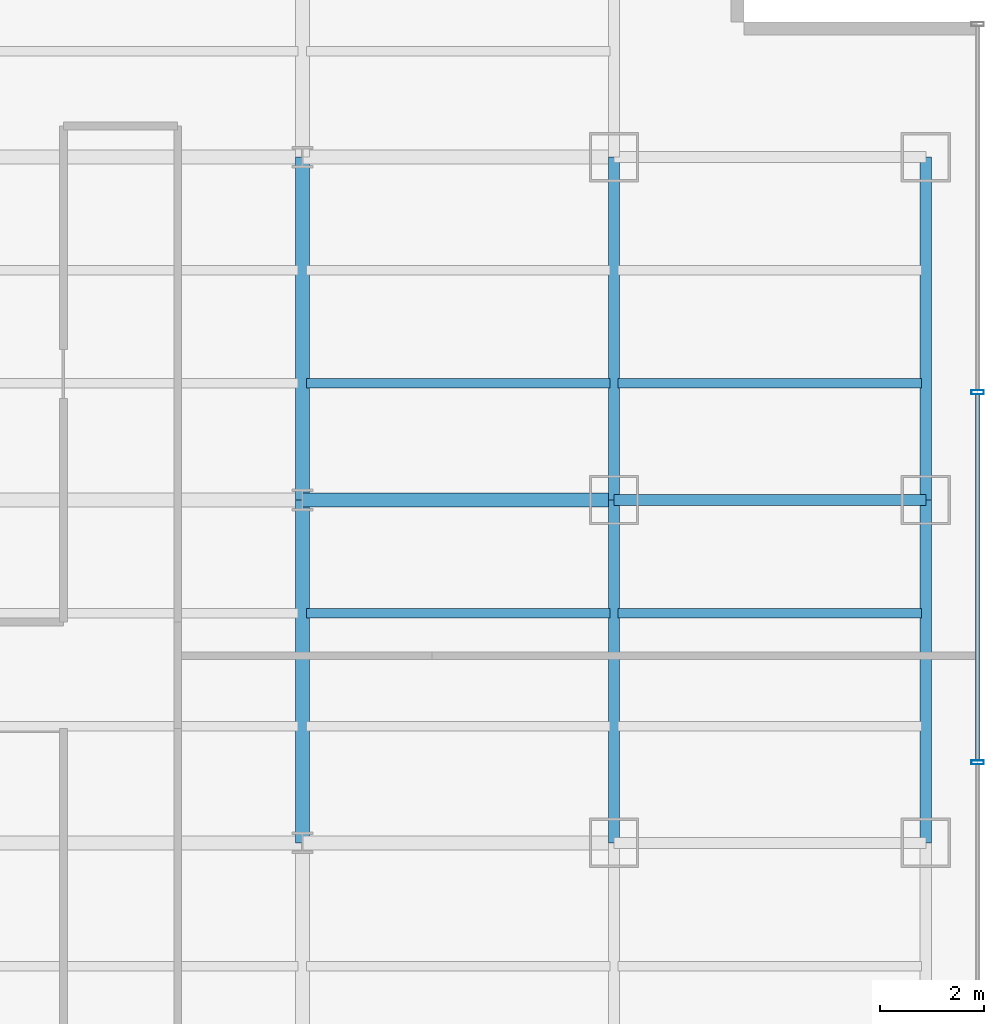
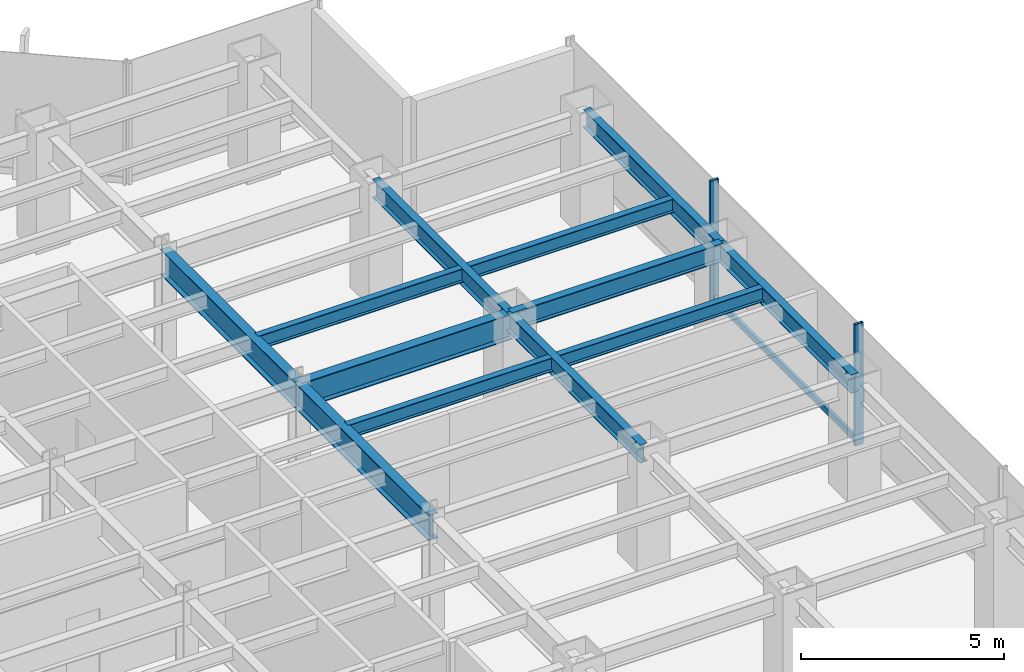
# One storey, part 9 of 23: 12 beams, 3 members, 1 element without a shape of its own.
"""IFC4 building model written with IfcOpenShell, lengths in metres."""

import ifcopenshell
import ifcopenshell.guid

model = None  # the IFC model being written
_history = None  # IfcOwnerHistory: only IFC2X3 demands one
_inside = {}  # id of a spatial element -> (the spatial element, [elements in it])
_under = {}  # id of a project, library or spatial element -> (it, [spatial elements below it])
_declared = {}  # id of a project -> (the project, [libraries it declares])
_typed = {}  # id of a type object -> (the type object, [elements of that type])
_made_of = {}  # id of a material, layer set ... -> (it, [elements and type objects made of it])


def new_model(schema):
    """Start an empty IFC model of exactly this schema.

    Asked for "IFC4X3", IfcOpenShell would pick the latest addendum, in which some entities
    have other attributes; the version numbers below select the first issue.
    IFC2X3 requires an IfcOwnerHistory on every rooted entity: one is made here for all.
    """
    global model, _history
    if schema == "IFC4X3":
        model = ifcopenshell.file(schema_version=(4, 3, 0, 0))
    else:
        model = ifcopenshell.file(schema=schema)
    _inside.clear()
    _under.clear()
    _declared.clear()
    _typed.clear()
    _made_of.clear()
    _history = None
    if model.schema == "IFC2X3":
        org = make("IfcOrganization", Name="unknown")
        user = make(
            "IfcPersonAndOrganization",
            ThePerson=make("IfcPerson", FamilyName="unknown"),
            TheOrganization=org,
        )
        app = make(
            "IfcApplication",
            ApplicationDeveloper=org,
            Version="unknown",
            ApplicationFullName="unknown",
            ApplicationIdentifier="unknown",
        )
        _history = make(
            "IfcOwnerHistory",
            OwningUser=user,
            OwningApplication=app,
            ChangeAction="ADDED",
            CreationDate=0,
        )
    return model


def make(cls, **values):
    """One entity of the class cls with the attributes given. An attribute that is None is left unset."""
    return model.create_entity(
        cls, **{name: value for name, value in values.items() if value is not None}
    )


def rooted(cls, **values):
    """An entity with a GlobalId (a new one), such as an element, a storey or a relation."""
    return make(cls, GlobalId=ifcopenshell.guid.new(), OwnerHistory=_history, **values)


def si_unit(unit_type, name, prefix=None):
    """IfcSIUnit, for example si_unit("LENGTHUNIT", "METRE", prefix="MILLI")."""
    return make("IfcSIUnit", UnitType=unit_type, Prefix=prefix, Name=name)


def derived_unit(unit_type, elements):
    """IfcDerivedUnit: a product of units, each with its exponent."""
    return make(
        "IfcDerivedUnit",
        Elements=[
            make("IfcDerivedUnitElement", Unit=unit, Exponent=power)
            for unit, power in elements
        ],
        UnitType=unit_type,
    )


def assignment(units):
    """IfcUnitAssignment: the units of a project."""
    return None if units is None else make("IfcUnitAssignment", Units=units)


def point(xyz):
    """IfcCartesianPoint."""
    return None if xyz is None else make("IfcCartesianPoint", Coordinates=xyz)


def direction(xyz):
    """IfcDirection."""
    return None if xyz is None else make("IfcDirection", DirectionRatios=xyz)


def frame(location, z_axis=None, x_axis=None):
    """IfcAxis2Placement3D, a coordinate frame: its origin and axes. An axis left out is left unset."""
    return make(
        "IfcAxis2Placement3D",
        Location=point(location),
        Axis=direction(z_axis),
        RefDirection=direction(x_axis),
    )


def frame_2d(location, x_axis=None):
    """IfcAxis2Placement2D, a coordinate frame in the plane: its origin and x axis."""
    return make(
        "IfcAxis2Placement2D", Location=point(location), RefDirection=direction(x_axis)
    )


def origin():
    """The frame at (0, 0, 0) with its axes left unset."""
    return frame((0.0, 0.0, 0.0))


def origin_2d():
    """The frame at (0, 0) in the plane with its x axis left unset."""
    return frame_2d((0.0, 0.0))


def place(relative_to, where):
    """IfcLocalPlacement: puts the frame where relative to a parent placement (None: the world)."""
    return make(
        "IfcLocalPlacement", PlacementRelTo=relative_to, RelativePlacement=where
    )


def context(
    kind, dimensions, precision=None, world=None, true_north=None, identifier=None
):
    """IfcGeometricRepresentationContext, for example the 3D "Model" context."""
    return make(
        "IfcGeometricRepresentationContext",
        ContextIdentifier=identifier,
        ContextType=kind,
        CoordinateSpaceDimension=dimensions,
        Precision=precision,
        WorldCoordinateSystem=world,
        TrueNorth=true_north,
    )


def subcontext(parent, identifier, kind, view, scale=None):
    """IfcGeometricRepresentationSubContext, for example "Body" below "Model"."""
    return make(
        "IfcGeometricRepresentationSubContext",
        ContextIdentifier=identifier,
        ContextType=kind,
        ParentContext=parent,
        TargetScale=scale,
        TargetView=view,
    )


def project(units=None, contexts=None):
    """IfcProject with its units and contexts."""
    return rooted(
        "IfcProject",
        Name="project",
        RepresentationContexts=contexts,
        UnitsInContext=assignment(units),
    )


def spatial(cls, under=None, at=None, **own):
    """A site, building, storey or space (cls), placed at a placement, below another one or the project."""
    s = rooted(cls, ObjectPlacement=at, **own)
    if under is not None:
        _under.setdefault(under.id(), (under, []))[1].append(s)
    return s


def profile(cls, at=None, kind="AREA", **sizes):
    """A parametric profile (cls). Its sizes go by their IFC names, for example OverallWidth=200.0."""
    return make(cls, ProfileType=kind, Position=at, **sizes)


def hollow_rectangle(**sizes):
    """IfcRectangleHollowProfileDef."""
    return profile("IfcRectangleHollowProfileDef", **sizes)


def i_section(**sizes):
    """IfcIShapeProfileDef."""
    return profile("IfcIShapeProfileDef", **sizes)


def extrude(swept, where, along, depth):
    """IfcExtrudedAreaSolid: the profile swept, set in the frame where, extruded along a direction by depth."""
    return make(
        "IfcExtrudedAreaSolid",
        SweptArea=swept,
        Position=where,
        ExtrudedDirection=direction(along),
        Depth=depth,
    )


def shape(context_of_items, identifier, shape_type, items):
    """IfcShapeRepresentation: the items that make up one representation, for example the "Body"."""
    return make(
        "IfcShapeRepresentation",
        ContextOfItems=context_of_items,
        RepresentationIdentifier=identifier,
        RepresentationType=shape_type,
        Items=items,
    )


def source(mapping_origin, context_of_items, identifier, shape_type, items):
    """IfcRepresentationMap: a shape defined once, which mapped items show again and again."""
    return make(
        "IfcRepresentationMap",
        MappingOrigin=mapping_origin,
        MappedRepresentation=shape(context_of_items, identifier, shape_type, items),
    )


def transform(
    local_origin,
    x_axis=None,
    y_axis=None,
    z_axis=None,
    scale=None,
    scale2=None,
    scale3=None,
    uniform=True,
):
    """IfcCartesianTransformationOperator3D, or its non-uniform kind. x_axis, y_axis, z_axis: its Axis1, 2, 3."""
    if uniform:
        return make(
            "IfcCartesianTransformationOperator3D",
            Axis1=direction(x_axis),
            Axis2=direction(y_axis),
            LocalOrigin=point(local_origin),
            Scale=scale,
            Axis3=direction(z_axis),
        )
    return make(
        "IfcCartesianTransformationOperator3DnonUniform",
        Axis1=direction(x_axis),
        Axis2=direction(y_axis),
        LocalOrigin=point(local_origin),
        Scale=scale,
        Axis3=direction(z_axis),
        Scale2=scale2,
        Scale3=scale3,
    )


def mapped(mapping_source, mapping_target):
    """IfcMappedItem: shows the shape of a source again, moved by a transform."""
    return make(
        "IfcMappedItem", MappingSource=mapping_source, MappingTarget=mapping_target
    )


def material(Name=None, Category=None):
    """IfcMaterial."""
    return make("IfcMaterial", Name=Name, Category=Category)


def material_profile(
    of_material, cross_section, Name=None, Category=None, Priority=None
):
    """IfcMaterialProfile: a cross section and its material."""
    return make(
        "IfcMaterialProfile",
        Name=Name,
        Material=of_material,
        Profile=cross_section,
        Priority=Priority,
        Category=Category,
    )


def profile_set(profiles, Name=None, composite=None):
    """IfcMaterialProfileSet."""
    return make(
        "IfcMaterialProfileSet",
        Name=Name,
        MaterialProfiles=profiles,
        CompositeProfile=composite,
    )


def made_of(thing, what):
    """Note that an element or type object is made of a material, layer set ...; save() writes the relation."""
    if what is not None:
        _made_of.setdefault(what.id(), (what, []))[1].append(thing)
    return thing


def type_object(cls, material=None, **own):
    """A type object (cls), such as IfcWallType, which elements share."""
    return made_of(rooted(cls, **own), material)


def element(
    cls,
    number,
    at=None,
    inside=None,
    cuts=None,
    type_object=None,
    material=None,
    context=None,
    identifier="Body",
    shape_type=None,
    held_by="IfcProductDefinitionShape",
    body=None,
    shapes=None,
    **own,
):
    """One element of the class cls, such as IfcWall. Its Tag is "e" and its number.

    at: its placement. inside: the storey or other place that contains it. cuts: it is an
    opening in that element (IfcRelVoidsElement). A single representation is given by context,
    identifier, shape_type and body (its items); several are given by shapes. held_by: the class
    of the entity that holds the representations. save() writes the other relations.
    """
    e = rooted(cls, Tag="e%d" % number, ObjectPlacement=at, **own)
    if body is not None:
        shapes = [shape(context, identifier, shape_type, body)]
    if shapes is not None:
        e.Representation = make(held_by, Representations=shapes)
    if inside is not None:
        _inside.setdefault(inside.id(), (inside, []))[1].append(e)
    if cuts is not None:
        rooted(
            "IfcRelVoidsElement", RelatingBuildingElement=cuts, RelatedOpeningElement=e
        )
    if type_object is not None:
        _typed.setdefault(type_object.id(), (type_object, []))[1].append(e)
    return made_of(e, material)


def aggregate(whole, parts):
    """IfcRelAggregates: a whole, such as a stair, and the parts it consists of."""
    return rooted("IfcRelAggregates", RelatingObject=whole, RelatedObjects=parts)


def save(model, path):
    """Write the relations noted so far, then the file.

    IfcRelAggregates (storeys below a building ...), IfcRelContainedInSpatialStructure (elements
    in a storey), IfcRelDefinesByType, IfcRelAssociatesMaterial and IfcRelDeclares: one each for
    every whole, place, type object, material and project.
    """
    for whole, parts in _under.values():
        aggregate(whole, parts)
    for where, things in _inside.values():
        rooted(
            "IfcRelContainedInSpatialStructure",
            RelatedElements=things,
            RelatingStructure=where,
        )
    for kind, things in _typed.values():
        rooted("IfcRelDefinesByType", RelatedObjects=things, RelatingType=kind)
    for what, things in _made_of.values():
        rooted("IfcRelAssociatesMaterial", RelatedObjects=things, RelatingMaterial=what)
    for by, libraries in _declared.values():
        rooted("IfcRelDeclares", RelatingContext=by, RelatedDefinitions=libraries)
    model.write(path)


model = new_model("IFC4")

# Units and contexts
model_context = context("Model", 3, precision=1e-05, world=origin(), true_north=direction((0.0, 1.0)))
body_context = subcontext(model_context, "Body", "Model", "MODEL_VIEW")
ifc_project = project(units=[si_unit("LENGTHUNIT", "METRE"), si_unit("AREAUNIT", "SQUARE_METRE"), si_unit("VOLUMEUNIT", "CUBIC_METRE"), si_unit("PLANEANGLEUNIT", "RADIAN"), si_unit("MASSUNIT", "GRAM", prefix="KILO"), derived_unit("THERMALTRANSMITTANCEUNIT", [(si_unit("POWERUNIT", "WATT"), 1), (si_unit("LENGTHUNIT", "METRE"), -2), (si_unit("THERMODYNAMICTEMPERATUREUNIT", "KELVIN"), -1)])], contexts=[model_context])

# Site, building, storey
site_placement = place(None, origin())
site = spatial("IfcSite", under=ifc_project, at=site_placement, CompositionType="ELEMENT")
building_placement = place(site_placement, origin())
building = spatial("IfcBuilding", under=site, at=building_placement, Name="Skarnbrae Concourse Arena and Tower", CompositionType="ELEMENT")
storey_placement = place(building_placement, frame((0.0, 0.0, 50.75)))
storey = spatial("IfcBuildingStorey", under=building, at=storey_placement, Name="L11", CompositionType="ELEMENT", Elevation=50.75)

# Beams
ifc_material_1 = material(Name="Steel CSA G40.21 350W", Category="steel")
ifc_material_profile_1 = material_profile(ifc_material_1, i_section(OverallWidth=0.214111328125, OverallDepth=0.549072265625, WebThickness=0.0146484375, FlangeThickness=0.023681640625, at=origin_2d()), Name="W530X138")
ifc_profile_set_1 = profile_set([ifc_material_profile_1], Name="Steel CSA G40.21 350W")
beam_type_1 = type_object("IfcBeamType", Name="BM-SPAN-W530X138", PredefinedType="SPANDREL", material=ifc_profile_set_1)
shared_shape_1 = source(origin(), body_context, "Body", "SweptSolid", [
    extrude(i_section(OverallWidth=0.214111328125, OverallDepth=0.549072265625, WebThickness=0.0146484375, FlangeThickness=0.023681640625, at=origin_2d()), origin(), (0.0, 0.0, 1.0), 6.0),
])
beam_1_placement = place(storey_placement, frame((55.0, 27.800048828125, 3.12548828125), z_axis=(1.0, 0.0, 0.0), x_axis=(0.0, 1.0, 0.0)))
element("IfcBeam", 1, at=beam_1_placement, inside=storey, type_object=beam_type_1, Name="L11 Perimeter spandrel Y27.8-9", PredefinedType="SPANDREL", context=body_context, shape_type="MappedRepresentation", body=[
    mapped(shared_shape_1, transform((0.0, 0.0, 0.0))),
])
ifc_material_profile_2 = material_profile(ifc_material_1, i_section(OverallWidth=0.26806640625, OverallDepth=0.77001953125, WebThickness=0.015625, FlangeThickness=0.025390625, at=origin_2d()), Name="W760X196")
ifc_profile_set_2 = profile_set([ifc_material_profile_2], Name="Steel CSA G40.21 350W")
beam_type_2 = type_object("IfcBeamType", Name="BM-GIRD-W760X196", PredefinedType="BEAM", material=ifc_profile_set_2)
shared_shape_2 = source(origin(), body_context, "Body", "SweptSolid", [
    extrude(i_section(OverallWidth=0.26806640625, OverallDepth=0.77001953125, WebThickness=0.015625, FlangeThickness=0.025390625, at=origin_2d()), origin(), (0.0, 0.0, 1.0), 6.60009765625),
])
beam_2_placement = place(storey_placement, frame((49.0, 21.199951171875, 3.014892578125), z_axis=(0.0, 1.0, 0.0), x_axis=(-1.0, 0.0, 0.0)))
element("IfcBeam", 2, at=beam_2_placement, inside=storey, type_object=beam_type_2, Name="L11 Primary N-S girder X49.0-3", PredefinedType="BEAM", context=body_context, shape_type="MappedRepresentation", body=[
    mapped(shared_shape_2, transform((0.0, 0.0, 0.0))),
])
shared_shape_3 = source(origin(), body_context, "Body", "SweptSolid", [
    extrude(i_section(OverallWidth=0.26806640625, OverallDepth=0.77001953125, WebThickness=0.015625, FlangeThickness=0.025390625, at=origin_2d()), origin(), (0.0, 0.0, 1.0), 6.0),
])
beam_3_placement = place(storey_placement, frame((49.0, 27.800048828125, 3.014892578125), z_axis=(1.0, 0.0, 0.0), x_axis=(0.0, 1.0, 0.0)))
element("IfcBeam", 3, at=beam_3_placement, inside=storey, type_object=beam_type_2, Name="L11 Primary E-W girder Y27.8-8", PredefinedType="BEAM", context=body_context, shape_type="MappedRepresentation", body=[
    mapped(shared_shape_3, transform((0.0, 0.0, 0.0))),
])
shared_shape_4 = source(origin(), body_context, "Body", "SweptSolid", [
    extrude(i_section(OverallWidth=0.214111328125, OverallDepth=0.549072265625, WebThickness=0.0146484375, FlangeThickness=0.023681640625, at=origin_2d()), origin(), (0.0, 0.0, 1.0), 6.60009765625),
])
for number, where, z_axis, x_axis, name in (
    (4, (55.0, 21.199951171875, 3.12548828125), (0.0, 1.0, 0.0), (-1.0, 0.0, 0.0), "L11 Perimeter spandrel X55.0-3"),
    (5, (61.0, 21.199951171875, 3.12548828125), (0.0, 1.0, 0.0), (-1.0, 0.0, 0.0), "L11 Perimeter spandrel X61.0-3"),
):
    element("IfcBeam", number, at=place(storey_placement, frame(where, z_axis=z_axis, x_axis=x_axis)), inside=storey, type_object=beam_type_1, Name=name, PredefinedType="SPANDREL", context=body_context, shape_type="MappedRepresentation", body=[
        mapped(shared_shape_4, transform((0.0, 0.0, 0.0))),
    ])
shared_shape_5 = source(origin(), body_context, "Body", "SweptSolid", [
    extrude(i_section(OverallWidth=0.214111328125, OverallDepth=0.549072265625, WebThickness=0.0146484375, FlangeThickness=0.023681640625, at=origin_2d()), origin(), (0.0, 0.0, 1.0), 6.599853515625),
])
for number, where, z_axis, x_axis, name in (
    (6, (55.0, 27.800048828125, 3.12548828125), (0.0, 1.0, 0.0), (-1.0, 0.0, 0.0), "L11 Perimeter spandrel X55.0-4"),
    (7, (61.0, 27.800048828125, 3.12548828125), (0.0, 1.0, 0.0), (-1.0, 0.0, 0.0), "L11 Perimeter spandrel X61.0-4"),
):
    element("IfcBeam", number, at=place(storey_placement, frame(where, z_axis=z_axis, x_axis=x_axis)), inside=storey, type_object=beam_type_1, Name=name, PredefinedType="SPANDREL", context=body_context, shape_type="MappedRepresentation", body=[
        mapped(shared_shape_5, transform((0.0, 0.0, 0.0))),
    ])
shared_shape_6 = source(origin(), body_context, "Body", "SweptSolid", [
    extrude(i_section(OverallWidth=0.26806640625, OverallDepth=0.77001953125, WebThickness=0.015625, FlangeThickness=0.025390625, at=origin_2d()), origin(), (0.0, 0.0, 1.0), 6.599853515625),
])
beam_4_placement = place(storey_placement, frame((49.0, 27.800048828125, 3.014892578125), z_axis=(0.0, 1.0, 0.0), x_axis=(-1.0, 0.0, 0.0)))
element("IfcBeam", 8, at=beam_4_placement, inside=storey, type_object=beam_type_2, Name="L11 Primary N-S girder X49.0-4", PredefinedType="BEAM", context=body_context, shape_type="MappedRepresentation", body=[
    mapped(shared_shape_6, transform((0.0, 0.0, 0.0))),
])
ifc_material_profile_3 = material_profile(ifc_material_1, i_section(OverallWidth=0.180908203125, OverallDepth=0.4169921875, WebThickness=0.010986328125, FlangeThickness=0.018310546875, at=origin_2d()), Name="W410X85")
ifc_profile_set_3 = profile_set([ifc_material_profile_3], Name="Steel CSA G40.21 350W")
beam_type_3 = type_object("IfcBeamType", Name="BM-JOIST-W410X85", PredefinedType="JOIST", material=ifc_profile_set_3)
shared_shape_7 = source(origin(), body_context, "Body", "SweptSolid", [
    extrude(i_section(OverallWidth=0.180908203125, OverallDepth=0.4169921875, WebThickness=0.010986328125, FlangeThickness=0.018310546875, at=origin_2d()), origin(), (0.0, 0.0, 1.0), 5.83984375),
])
for number, where, z_axis, x_axis, name in (
    (9, (49.080078125, 25.6220703125, 3.19140625), (1.0, 0.0, 0.0), (0.0, 1.0, 0.0), "L11 Secondary floor joist 2.2.8"),
    (10, (55.080078125, 25.6220703125, 3.19140625), (1.0, 0.0, 0.0), (0.0, 1.0, 0.0), "L11 Secondary floor joist 2.2.9"),
    (11, (49.080078125, 30.0439453125, 3.19140625), (1.0, 0.0, 0.0), (0.0, 1.0, 0.0), "L11 Secondary floor joist 3.1.8"),
    (12, (55.080078125, 30.0439453125, 3.19140625), (1.0, 0.0, 0.0), (0.0, 1.0, 0.0), "L11 Secondary floor joist 3.1.9"),
):
    element("IfcBeam", number, at=place(storey_placement, frame(where, z_axis=z_axis, x_axis=x_axis)), inside=storey, type_object=beam_type_3, Name=name, PredefinedType="JOIST", context=body_context, shape_type="MappedRepresentation", body=[
        mapped(shared_shape_7, transform((0.0, 0.0, 0.0))),
    ])

# Curtain wall, members
ifc_material_2 = material(Name="Bronze anodised aluminium 6063-T6", Category="aluminium")
curtain_wall_type = type_object("IfcCurtainWallType", Name="CW-SYS-02-LOWZONE", PredefinedType="USERDEFINED", material=ifc_material_2)
curtain_wall_placement = place(storey_placement, origin())
curtain_wall = element("IfcCurtainWall", 13, at=curtain_wall_placement, inside=storey, type_object=curtain_wall_type, Name="L11 Unitised curtain wall CW-L11-E04", ObjectType="UNITISED CURTAIN WALL", PredefinedType="USERDEFINED")
ifc_material_profile_4 = material_profile(ifc_material_2, hollow_rectangle(XDim=0.080078125, YDim=0.239990234375, WallThickness=0.0048828125, at=origin_2d()), Name="ALU-MULL-80X240")
ifc_profile_set_4 = profile_set([ifc_material_profile_4], Name="Bronze anodised aluminium 6063-T6")
member_type_1 = type_object("IfcMemberType", Name="CWM-CW-02", PredefinedType="MULLION", material=ifc_profile_set_4)
shared_shape_8 = source(origin(), body_context, "Body", "SweptSolid", [
    extrude(hollow_rectangle(XDim=0.080078125, YDim=0.239990234375, WallThickness=0.0048828125, at=origin_2d()), origin(), (0.0, 0.0, 1.0), 3.64990234375),
])
member_1_placement = place(storey_placement, frame((62.0, 22.75, 0.0), z_axis=(0.0, 0.0, 1.0), x_axis=(0.0, 1.0, 0.0)))
member_1 = element("IfcMember", 14, at=member_1_placement, type_object=member_type_1, Name="CW-L11-E04 Mullion 3", PredefinedType="MULLION", context=body_context, shape_type="MappedRepresentation", body=[
    mapped(shared_shape_8, transform((0.0, 0.0, 0.0))),
])
member_2_placement = place(storey_placement, frame((62.0, 29.875, 0.0), z_axis=(0.0, 0.0, 1.0), x_axis=(0.0, 1.0, 0.0)))
member_2 = element("IfcMember", 15, at=member_2_placement, type_object=member_type_1, Name="CW-L11-E04 Mullion 4", PredefinedType="MULLION", context=body_context, shape_type="MappedRepresentation", body=[
    mapped(shared_shape_8, transform((0.0, 0.0, 0.0))),
])
ifc_material_profile_5 = material_profile(ifc_material_2, hollow_rectangle(XDim=0.080078125, YDim=0.18994140625, WallThickness=0.0048828125, at=origin_2d()), Name="ALU-TRAN-80X190")
ifc_profile_set_5 = profile_set([ifc_material_profile_5], Name="Bronze anodised aluminium 6063-T6")
member_type_2 = type_object("IfcMemberType", Name="CWT-CW-02", PredefinedType="USERDEFINED", material=ifc_profile_set_5)
shared_shape_9 = source(origin(), body_context, "Body", "SweptSolid", [
    extrude(hollow_rectangle(XDim=0.080078125, YDim=0.18994140625, WallThickness=0.0048828125, at=origin_2d()), origin(), (0.0, 0.0, 1.0), 7.044921875),
])
member_3_placement = place(storey_placement, frame((62.0, 22.7900390625, 0.094970703125), z_axis=(0.0, 1.0, 0.0), x_axis=(-1.0, 0.0, 0.0)))
member_3 = element("IfcMember", 16, at=member_3_placement, type_object=member_type_2, Name="CW-L11-E04 Transom 3", ObjectType="TRANSOM", PredefinedType="USERDEFINED", context=body_context, shape_type="MappedRepresentation", body=[
    mapped(shared_shape_9, transform((0.0, 0.0, 0.0))),
])
aggregate(curtain_wall, [member_1, member_2, member_3])

save(model, "model.ifc")
